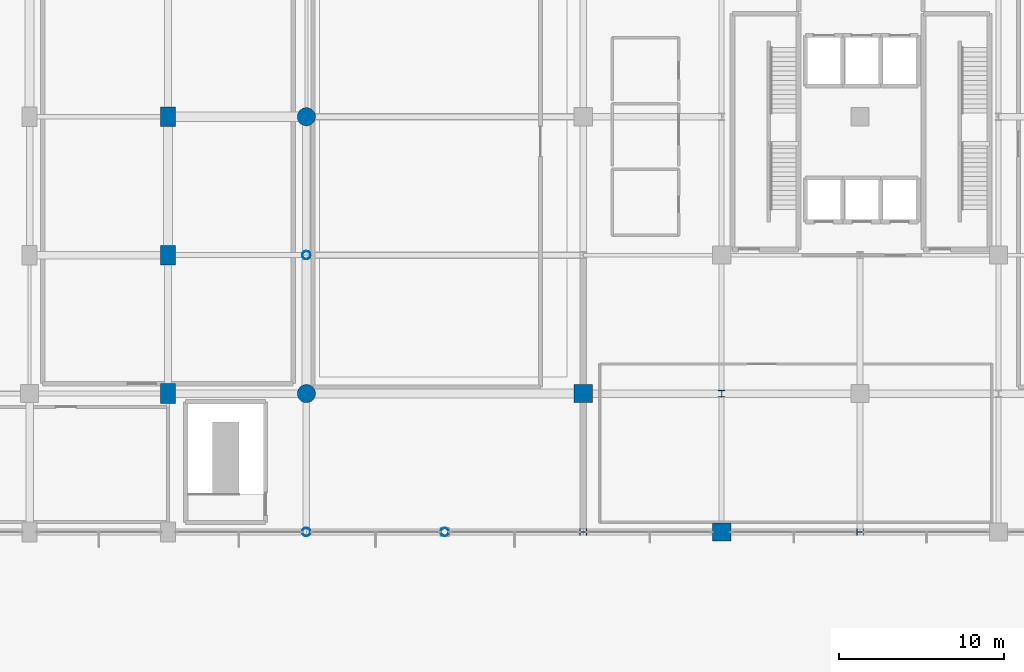
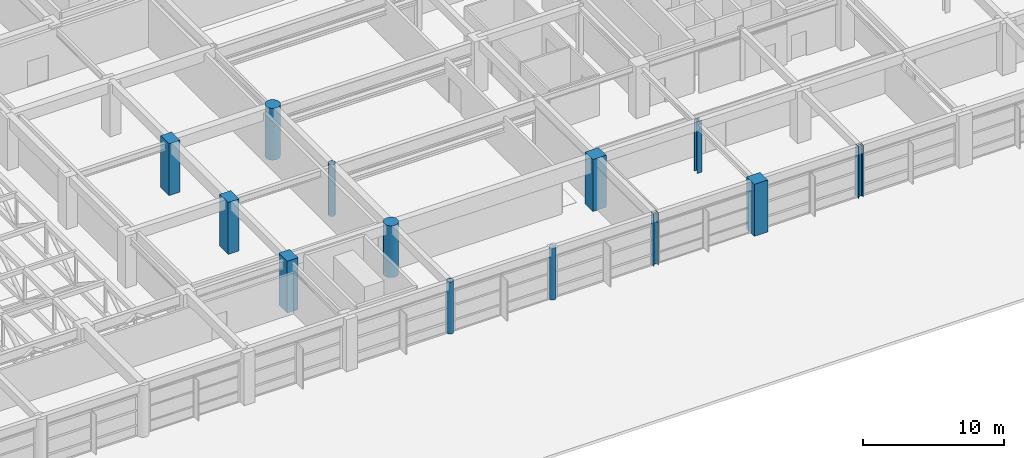
# One storey, part 2 of 47: 13 columns.
"""IFC4 building model written with IfcOpenShell, lengths in metres."""

import ifcopenshell
import ifcopenshell.guid

model = None  # the IFC model being written
_history = None  # IfcOwnerHistory: only IFC2X3 demands one
_inside = {}  # id of a spatial element -> (the spatial element, [elements in it])
_under = {}  # id of a project, library or spatial element -> (it, [spatial elements below it])
_declared = {}  # id of a project -> (the project, [libraries it declares])
_typed = {}  # id of a type object -> (the type object, [elements of that type])
_made_of = {}  # id of a material, layer set ... -> (it, [elements and type objects made of it])


def new_model(schema):
    """Start an empty IFC model of exactly this schema.

    Asked for "IFC4X3", IfcOpenShell would pick the latest addendum, in which some entities
    have other attributes; the version numbers below select the first issue.
    IFC2X3 requires an IfcOwnerHistory on every rooted entity: one is made here for all.
    """
    global model, _history
    if schema == "IFC4X3":
        model = ifcopenshell.file(schema_version=(4, 3, 0, 0))
    else:
        model = ifcopenshell.file(schema=schema)
    _inside.clear()
    _under.clear()
    _declared.clear()
    _typed.clear()
    _made_of.clear()
    _history = None
    if model.schema == "IFC2X3":
        org = make("IfcOrganization", Name="unknown")
        user = make(
            "IfcPersonAndOrganization",
            ThePerson=make("IfcPerson", FamilyName="unknown"),
            TheOrganization=org,
        )
        app = make(
            "IfcApplication",
            ApplicationDeveloper=org,
            Version="unknown",
            ApplicationFullName="unknown",
            ApplicationIdentifier="unknown",
        )
        _history = make(
            "IfcOwnerHistory",
            OwningUser=user,
            OwningApplication=app,
            ChangeAction="ADDED",
            CreationDate=0,
        )
    return model


def make(cls, **values):
    """One entity of the class cls with the attributes given. An attribute that is None is left unset."""
    return model.create_entity(
        cls, **{name: value for name, value in values.items() if value is not None}
    )


def rooted(cls, **values):
    """An entity with a GlobalId (a new one), such as an element, a storey or a relation."""
    return make(cls, GlobalId=ifcopenshell.guid.new(), OwnerHistory=_history, **values)


def si_unit(unit_type, name, prefix=None):
    """IfcSIUnit, for example si_unit("LENGTHUNIT", "METRE", prefix="MILLI")."""
    return make("IfcSIUnit", UnitType=unit_type, Prefix=prefix, Name=name)


def assignment(units):
    """IfcUnitAssignment: the units of a project."""
    return None if units is None else make("IfcUnitAssignment", Units=units)


def point(xyz):
    """IfcCartesianPoint."""
    return None if xyz is None else make("IfcCartesianPoint", Coordinates=xyz)


def direction(xyz):
    """IfcDirection."""
    return None if xyz is None else make("IfcDirection", DirectionRatios=xyz)


def frame(location, z_axis=None, x_axis=None):
    """IfcAxis2Placement3D, a coordinate frame: its origin and axes. An axis left out is left unset."""
    return make(
        "IfcAxis2Placement3D",
        Location=point(location),
        Axis=direction(z_axis),
        RefDirection=direction(x_axis),
    )


def frame_2d(location, x_axis=None):
    """IfcAxis2Placement2D, a coordinate frame in the plane: its origin and x axis."""
    return make(
        "IfcAxis2Placement2D", Location=point(location), RefDirection=direction(x_axis)
    )


def origin():
    """The frame at (0, 0, 0) with its axes left unset."""
    return frame((0.0, 0.0, 0.0))


def origin_2d():
    """The frame at (0, 0) in the plane with its x axis left unset."""
    return frame_2d((0.0, 0.0))


def place(relative_to, where):
    """IfcLocalPlacement: puts the frame where relative to a parent placement (None: the world)."""
    return make(
        "IfcLocalPlacement", PlacementRelTo=relative_to, RelativePlacement=where
    )


def context(
    kind, dimensions, precision=None, world=None, true_north=None, identifier=None
):
    """IfcGeometricRepresentationContext, for example the 3D "Model" context."""
    return make(
        "IfcGeometricRepresentationContext",
        ContextIdentifier=identifier,
        ContextType=kind,
        CoordinateSpaceDimension=dimensions,
        Precision=precision,
        WorldCoordinateSystem=world,
        TrueNorth=true_north,
    )


def subcontext(parent, identifier, kind, view, scale=None):
    """IfcGeometricRepresentationSubContext, for example "Body" below "Model"."""
    return make(
        "IfcGeometricRepresentationSubContext",
        ContextIdentifier=identifier,
        ContextType=kind,
        ParentContext=parent,
        TargetScale=scale,
        TargetView=view,
    )


def project(units=None, contexts=None):
    """IfcProject with its units and contexts."""
    return rooted(
        "IfcProject",
        Name="project",
        RepresentationContexts=contexts,
        UnitsInContext=assignment(units),
    )


def spatial(cls, under=None, at=None, **own):
    """A site, building, storey or space (cls), placed at a placement, below another one or the project."""
    s = rooted(cls, ObjectPlacement=at, **own)
    if under is not None:
        _under.setdefault(under.id(), (under, []))[1].append(s)
    return s


def profile(cls, at=None, kind="AREA", **sizes):
    """A parametric profile (cls). Its sizes go by their IFC names, for example OverallWidth=200.0."""
    return make(cls, ProfileType=kind, Position=at, **sizes)


def rectangle(**sizes):
    """IfcRectangleProfileDef."""
    return profile("IfcRectangleProfileDef", **sizes)


def circle(**sizes):
    """IfcCircleProfileDef."""
    return profile("IfcCircleProfileDef", **sizes)


def hollow_circle(**sizes):
    """IfcCircleHollowProfileDef."""
    return profile("IfcCircleHollowProfileDef", **sizes)


def i_section(**sizes):
    """IfcIShapeProfileDef."""
    return profile("IfcIShapeProfileDef", **sizes)


def extrude(swept, where, along, depth):
    """IfcExtrudedAreaSolid: the profile swept, set in the frame where, extruded along a direction by depth."""
    return make(
        "IfcExtrudedAreaSolid",
        SweptArea=swept,
        Position=where,
        ExtrudedDirection=direction(along),
        Depth=depth,
    )


def shape(context_of_items, identifier, shape_type, items):
    """IfcShapeRepresentation: the items that make up one representation, for example the "Body"."""
    return make(
        "IfcShapeRepresentation",
        ContextOfItems=context_of_items,
        RepresentationIdentifier=identifier,
        RepresentationType=shape_type,
        Items=items,
    )


def material(Name=None, Category=None):
    """IfcMaterial."""
    return make("IfcMaterial", Name=Name, Category=Category)


def material_profile(
    of_material, cross_section, Name=None, Category=None, Priority=None
):
    """IfcMaterialProfile: a cross section and its material."""
    return make(
        "IfcMaterialProfile",
        Name=Name,
        Material=of_material,
        Profile=cross_section,
        Priority=Priority,
        Category=Category,
    )


def profile_set(profiles, Name=None, composite=None):
    """IfcMaterialProfileSet."""
    return make(
        "IfcMaterialProfileSet",
        Name=Name,
        MaterialProfiles=profiles,
        CompositeProfile=composite,
    )


def made_of(thing, what):
    """Note that an element or type object is made of a material, layer set ...; save() writes the relation."""
    if what is not None:
        _made_of.setdefault(what.id(), (what, []))[1].append(thing)
    return thing


def type_object(cls, material=None, **own):
    """A type object (cls), such as IfcWallType, which elements share."""
    return made_of(rooted(cls, **own), material)


def element(
    cls,
    number,
    at=None,
    inside=None,
    cuts=None,
    type_object=None,
    material=None,
    context=None,
    identifier="Body",
    shape_type=None,
    held_by="IfcProductDefinitionShape",
    body=None,
    shapes=None,
    **own,
):
    """One element of the class cls, such as IfcWall. Its Tag is "e" and its number.

    at: its placement. inside: the storey or other place that contains it. cuts: it is an
    opening in that element (IfcRelVoidsElement). A single representation is given by context,
    identifier, shape_type and body (its items); several are given by shapes. held_by: the class
    of the entity that holds the representations. save() writes the other relations.
    """
    e = rooted(cls, Tag="e%d" % number, ObjectPlacement=at, **own)
    if body is not None:
        shapes = [shape(context, identifier, shape_type, body)]
    if shapes is not None:
        e.Representation = make(held_by, Representations=shapes)
    if inside is not None:
        _inside.setdefault(inside.id(), (inside, []))[1].append(e)
    if cuts is not None:
        rooted(
            "IfcRelVoidsElement", RelatingBuildingElement=cuts, RelatedOpeningElement=e
        )
    if type_object is not None:
        _typed.setdefault(type_object.id(), (type_object, []))[1].append(e)
    return made_of(e, material)


def aggregate(whole, parts):
    """IfcRelAggregates: a whole, such as a stair, and the parts it consists of."""
    return rooted("IfcRelAggregates", RelatingObject=whole, RelatedObjects=parts)


def save(model, path):
    """Write the relations noted so far, then the file.

    IfcRelAggregates (storeys below a building ...), IfcRelContainedInSpatialStructure (elements
    in a storey), IfcRelDefinesByType, IfcRelAssociatesMaterial and IfcRelDeclares: one each for
    every whole, place, type object, material and project.
    """
    for whole, parts in _under.values():
        aggregate(whole, parts)
    for where, things in _inside.values():
        rooted(
            "IfcRelContainedInSpatialStructure",
            RelatedElements=things,
            RelatingStructure=where,
        )
    for kind, things in _typed.values():
        rooted("IfcRelDefinesByType", RelatedObjects=things, RelatingType=kind)
    for what, things in _made_of.values():
        rooted("IfcRelAssociatesMaterial", RelatedObjects=things, RelatingMaterial=what)
    for by, libraries in _declared.values():
        rooted("IfcRelDeclares", RelatingContext=by, RelatedDefinitions=libraries)
    model.write(path)


model = new_model("IFC4")

# Units and contexts
model_context = context("Model", 3, precision=1e-05, world=origin(), true_north=direction((0.0, 1.0)))
body_context = subcontext(model_context, "Body", "Model", "MODEL_VIEW")
ifc_project = project(units=[si_unit("LENGTHUNIT", "METRE"), si_unit("AREAUNIT", "SQUARE_METRE"), si_unit("VOLUMEUNIT", "CUBIC_METRE"), si_unit("PLANEANGLEUNIT", "RADIAN"), si_unit("MASSUNIT", "GRAM", prefix="KILO")], contexts=[model_context])

# Site, building, storey
site_placement = place(None, origin())
site = spatial("IfcSite", under=ifc_project, at=site_placement, CompositionType="ELEMENT")
building_placement = place(site_placement, origin())
building = spatial("IfcBuilding", under=site, at=building_placement, Name="Xuanlan Plaza Opera House", CompositionType="ELEMENT")
storey_placement = place(building_placement, frame((0.0, 0.0, 23.39990234375)))
storey = spatial("IfcBuildingStorey", under=building, at=storey_placement, Name="L05", CompositionType="ELEMENT", Elevation=23.39990234375)

# Columns
ifc_material_1 = material(Name="Concrete C50", Category="concrete")
ifc_material_profile_1 = material_profile(ifc_material_1, rectangle(XDim=1.10009765625, YDim=1.10009765625, at=origin_2d()), Name="RC-COL 1100x1100")
ifc_profile_set_1 = profile_set([ifc_material_profile_1], Name="Concrete C50")
column_type_1 = type_object("IfcColumnType", Name="STR-COL-C-03", PredefinedType="COLUMN", material=ifc_profile_set_1)
for number, where, z_axis, x_axis, name in (
    (1, (126.0, 42.0, 0.0), (0.0, 0.0, 1.0), (1.0, 0.0, 0.0), "Column L05 16-F"),
    (2, (134.39990234375, 33.60009765625, 0.0), (0.0, 0.0, 1.0), (1.0, 0.0, 0.0), "Column L05 17-E"),
):
    element("IfcColumn", number, at=place(storey_placement, frame(where, z_axis=z_axis, x_axis=x_axis)), inside=storey, type_object=column_type_1, Name=name, PredefinedType="COLUMN", context=body_context, shape_type="SweptSolid", body=[
        extrude(rectangle(XDim=1.10009765625, YDim=1.10009765625, at=origin_2d()), origin(), (0.0, 0.0, 1.0), 4.5),
    ])
ifc_material_profile_2 = material_profile(ifc_material_1, rectangle(XDim=0.89990234375, YDim=1.199951171875, at=origin_2d()), Name="RC-COL 900x1200")
ifc_profile_set_2 = profile_set([ifc_material_profile_2], Name="Concrete C50")
column_type_2 = type_object("IfcColumnType", Name="STR-COL-C-10", PredefinedType="COLUMN", material=ifc_profile_set_2)
for number, where, z_axis, x_axis, name in (
    (3, (100.800048828125, 42.0, 0.0), (0.0, 0.0, 1.0), (1.0, 0.0, 0.0), "Column L05 13-F"),
    (4, (100.800048828125, 50.39990234375, 0.0), (0.0, 0.0, 1.0), (1.0, 0.0, 0.0), "Column L05 13-G"),
    (5, (100.800048828125, 58.800048828125, 0.0), (0.0, 0.0, 1.0), (1.0, 0.0, 0.0), "Column L05 13-H"),
):
    element("IfcColumn", number, at=place(storey_placement, frame(where, z_axis=z_axis, x_axis=x_axis)), inside=storey, type_object=column_type_2, Name=name, PredefinedType="COLUMN", context=body_context, shape_type="SweptSolid", body=[
        extrude(rectangle(XDim=0.89990234375, YDim=1.199951171875, at=origin_2d()), origin(), (0.0, 0.0, 1.0), 4.5),
    ])
ifc_material_profile_3 = material_profile(ifc_material_1, circle(Radius=0.550048828125, at=origin_2d()), Name="RC-COL D1100")
ifc_profile_set_3 = profile_set([ifc_material_profile_3], Name="Concrete C50")
column_type_3 = type_object("IfcColumnType", Name="STR-COL-C-11", PredefinedType="COLUMN", material=ifc_profile_set_3)
for number, where, z_axis, x_axis, name in (
    (6, (109.199951171875, 42.0, 0.0), (0.0, 0.0, 1.0), (1.0, 0.0, 0.0), "Column L05 14-F"),
    (7, (109.199951171875, 58.800048828125, 0.0), (0.0, 0.0, 1.0), (1.0, 0.0, 0.0), "Column L05 14-H"),
):
    element("IfcColumn", number, at=place(storey_placement, frame(where, z_axis=z_axis, x_axis=x_axis)), inside=storey, type_object=column_type_3, Name=name, PredefinedType="COLUMN", context=body_context, shape_type="SweptSolid", body=[
        extrude(circle(Radius=0.550048828125, at=origin_2d()), origin(), (0.0, 0.0, 1.0), 4.5),
    ])
ifc_material_2 = material(Name="Steel Q355B", Category="steel")
ifc_material_profile_4 = material_profile(ifc_material_2, i_section(OverallWidth=0.39990234375, OverallDepth=0.39990234375, WebThickness=0.012939453125, FlangeThickness=0.02099609375, FilletRadius=0.02197265625, at=origin_2d()), Name="HW 400x400x13x21")
ifc_profile_set_4 = profile_set([ifc_material_profile_4], Name="Steel Q355B")
column_type_4 = type_object("IfcColumnType", Name="STR-COL-C-14", PredefinedType="COLUMN", material=ifc_profile_set_4)
for number, where, z_axis, x_axis, name in (
    (8, (126.0, 33.60009765625, 0.0), (0.0, 0.0, 1.0), (0.0, 1.0, 0.0), "Column L05 16-E"),
    (9, (134.39990234375, 42.0, 0.0), (0.0, 0.0, 1.0), (1.0, 0.0, 0.0), "Column L05 17-F"),
    (10, (142.800048828125, 33.60009765625, 0.0), (0.0, 0.0, 1.0), (0.0, 1.0, 0.0), "Column L05 18-E"),
):
    element("IfcColumn", number, at=place(storey_placement, frame(where, z_axis=z_axis, x_axis=x_axis)), inside=storey, type_object=column_type_4, Name=name, PredefinedType="COLUMN", context=body_context, shape_type="SweptSolid", body=[
        extrude(i_section(OverallWidth=0.39990234375, OverallDepth=0.39990234375, WebThickness=0.012939453125, FlangeThickness=0.02099609375, FilletRadius=0.02197265625, at=origin_2d()), origin(), (0.0, 0.0, 1.0), 4.5),
    ])
ifc_material_profile_5 = material_profile(ifc_material_2, hollow_circle(Radius=0.25390625, WallThickness=0.02001953125, at=origin_2d()), Name="CHS 508x20")
ifc_profile_set_5 = profile_set([ifc_material_profile_5], Name="Steel Q355B")
column_type_5 = type_object("IfcColumnType", Name="STR-COL-C-16", PredefinedType="COLUMN", material=ifc_profile_set_5)
for number, where, z_axis, x_axis, name in (
    (11, (109.199951171875, 33.60009765625, 0.0), (0.0, 0.0, 1.0), (1.0, 0.0, 0.0), "Column L05 14-E"),
    (12, (109.199951171875, 50.39990234375, 0.0), (0.0, 0.0, 1.0), (1.0, 0.0, 0.0), "Column L05 14-G"),
    (13, (117.60009765625, 33.60009765625, 0.0), (0.0, 0.0, 1.0), (1.0, 0.0, 0.0), "Column L05 15-E"),
):
    element("IfcColumn", number, at=place(storey_placement, frame(where, z_axis=z_axis, x_axis=x_axis)), inside=storey, type_object=column_type_5, Name=name, PredefinedType="COLUMN", context=body_context, shape_type="SweptSolid", body=[
        extrude(hollow_circle(Radius=0.25390625, WallThickness=0.02001953125, at=origin_2d()), origin(), (0.0, 0.0, 1.0), 4.5),
    ])

save(model, "model.ifc")
